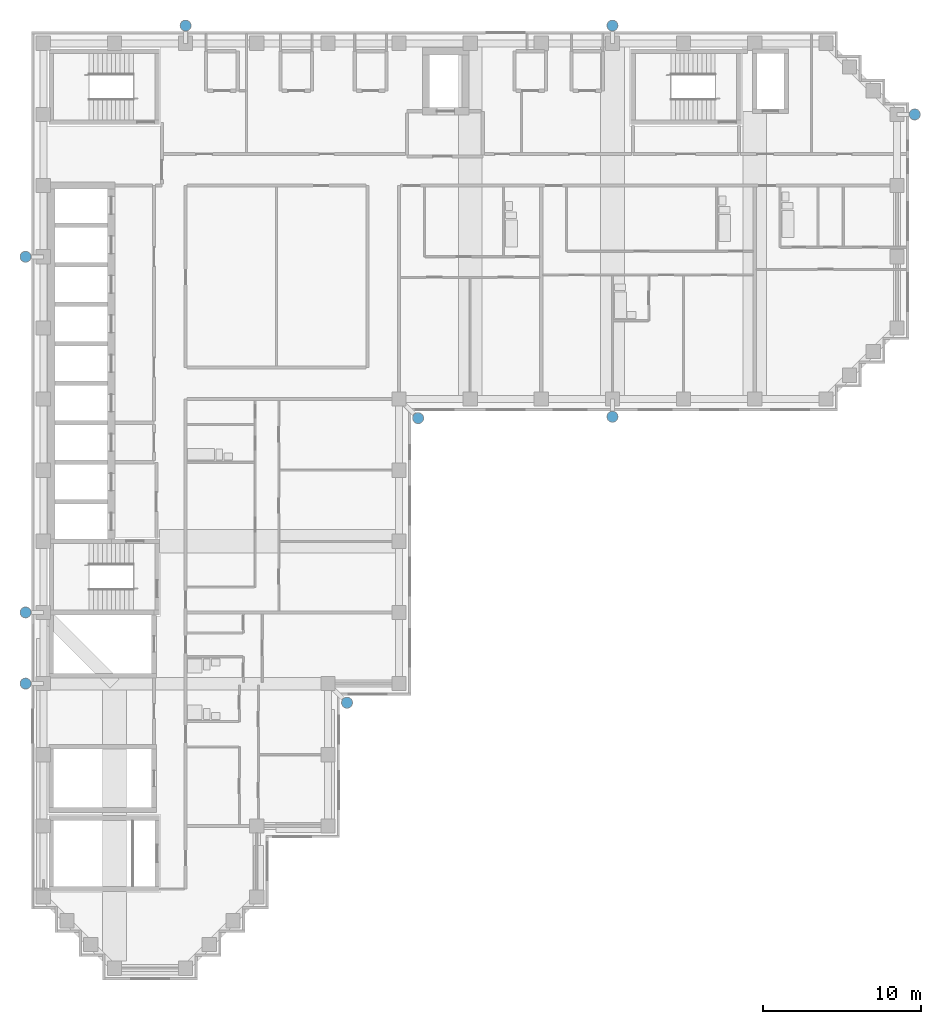
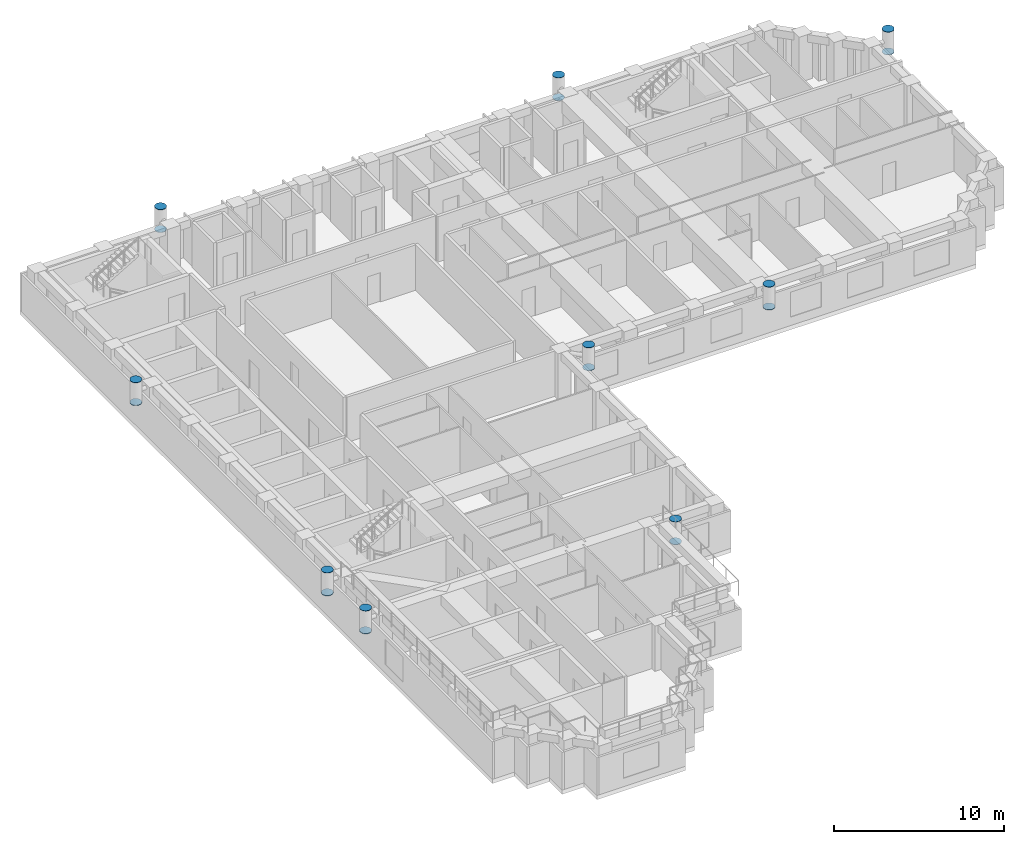
# One storey, part 9 of 11: 18 discrete accessories.
"""IFC4 building model written with IfcOpenShell, lengths in metres."""

from ifc_helpers import new_model, si_unit, direction, frame, origin, origin_2d, place, context, subcontext, project, spatial, circle, extrude, material, material_profile, profile_set, type_object, element, save


model = new_model("IFC4")

# Units and contexts
model_context = context("Model", 3, precision=1e-05, world=origin(), true_north=direction((0.0, 1.0)))
body_context = subcontext(model_context, "Body", "Model", "MODEL_VIEW")
ifc_project = project(units=[si_unit("LENGTHUNIT", "METRE"), si_unit("AREAUNIT", "SQUARE_METRE"), si_unit("VOLUMEUNIT", "CUBIC_METRE"), si_unit("PLANEANGLEUNIT", "RADIAN"), si_unit("MASSUNIT", "GRAM", prefix="KILO")], contexts=[model_context])

# Site, building, storey
site_placement = place(None, origin())
site = spatial("IfcSite", under=ifc_project, at=site_placement, CompositionType="ELEMENT")
building_placement = place(site_placement, origin())
building = spatial("IfcBuilding", under=site, at=building_placement, Name="Firuza Court", CompositionType="ELEMENT")
storey_placement = place(building_placement, frame((0.0, 0.0, 207.800048828125)))
storey = spatial("IfcBuildingStorey", under=building, at=storey_placement, Name="L53", CompositionType="ELEMENT", Elevation=207.800048828125)

# Discrete accessories
ifc_material = material(Name="Steel S355", Category="steel")
ifc_material_profile = material_profile(ifc_material, circle(Radius=0.35546875, at=origin_2d()), Name="PL D711")
ifc_profile_set = profile_set([ifc_material_profile], Name="Steel S355")
discrete_accessory_type = type_object("IfcDiscreteAccessoryType", Name="DIAGRID NODE END PLATE", PredefinedType="NOTDEFINED", material=ifc_profile_set)
discrete_accessory_1_placement = place(storey_placement, frame((-1.1201171875, 18.0, 3.800048828125), z_axis=(0.0, 0.0, 1.0), x_axis=(1.0, 0.0, 0.0)))
element("IfcDiscreteAccessory", 1, at=discrete_accessory_1_placement, inside=storey, type_object=discrete_accessory_type, Name="Diagrid node end plate level L53", PredefinedType="NOTDEFINED", context=body_context, shape_type="SweptSolid", body=[
    extrude(circle(Radius=0.35546875, at=origin_2d()), origin(), (0.0, 0.0, 1.0), 0.02978515625),
])
discrete_accessory_2_placement = place(storey_placement, frame((-1.1201171875, 18.0, 2.169921875), z_axis=(0.0, 0.0, 1.0), x_axis=(1.0, 0.0, 0.0)))
element("IfcDiscreteAccessory", 2, at=discrete_accessory_2_placement, inside=storey, type_object=discrete_accessory_type, Name="Diagrid node end plate level L53", PredefinedType="NOTDEFINED", context=body_context, shape_type="SweptSolid", body=[
    extrude(circle(Radius=0.35546875, at=origin_2d()), origin(), (0.0, 0.0, 1.0), 0.030029296875),
])
discrete_accessory_3_placement = place(storey_placement, frame((-1.1201171875, 22.5, 3.800048828125), z_axis=(0.0, 0.0, 1.0), x_axis=(1.0, 0.0, 0.0)))
element("IfcDiscreteAccessory", 3, at=discrete_accessory_3_placement, inside=storey, type_object=discrete_accessory_type, Name="Diagrid node end plate level L53", PredefinedType="NOTDEFINED", context=body_context, shape_type="SweptSolid", body=[
    extrude(circle(Radius=0.35546875, at=origin_2d()), origin(), (0.0, 0.0, 1.0), 0.02978515625),
])
discrete_accessory_4_placement = place(storey_placement, frame((-1.1201171875, 22.5, 2.169921875), z_axis=(0.0, 0.0, 1.0), x_axis=(1.0, 0.0, 0.0)))
element("IfcDiscreteAccessory", 4, at=discrete_accessory_4_placement, inside=storey, type_object=discrete_accessory_type, Name="Diagrid node end plate level L53", PredefinedType="NOTDEFINED", context=body_context, shape_type="SweptSolid", body=[
    extrude(circle(Radius=0.35546875, at=origin_2d()), origin(), (0.0, 0.0, 1.0), 0.030029296875),
])
discrete_accessory_5_placement = place(storey_placement, frame((-1.1201171875, 45.0, 3.800048828125), z_axis=(0.0, 0.0, 1.0), x_axis=(1.0, 0.0, 0.0)))
element("IfcDiscreteAccessory", 5, at=discrete_accessory_5_placement, inside=storey, type_object=discrete_accessory_type, Name="Diagrid node end plate level L53", PredefinedType="NOTDEFINED", context=body_context, shape_type="SweptSolid", body=[
    extrude(circle(Radius=0.35546875, at=origin_2d()), origin(), (0.0, 0.0, 1.0), 0.02978515625),
])
discrete_accessory_6_placement = place(storey_placement, frame((-1.1201171875, 45.0, 2.169921875), z_axis=(0.0, 0.0, 1.0), x_axis=(1.0, 0.0, 0.0)))
element("IfcDiscreteAccessory", 6, at=discrete_accessory_6_placement, inside=storey, type_object=discrete_accessory_type, Name="Diagrid node end plate level L53", PredefinedType="NOTDEFINED", context=body_context, shape_type="SweptSolid", body=[
    extrude(circle(Radius=0.35546875, at=origin_2d()), origin(), (0.0, 0.0, 1.0), 0.030029296875),
])
discrete_accessory_7_placement = place(storey_placement, frame((9.0, 59.6201171875, 3.800048828125), z_axis=(0.0, 0.0, 1.0), x_axis=(1.0, 0.0, 0.0)))
element("IfcDiscreteAccessory", 7, at=discrete_accessory_7_placement, inside=storey, type_object=discrete_accessory_type, Name="Diagrid node end plate level L53", PredefinedType="NOTDEFINED", context=body_context, shape_type="SweptSolid", body=[
    extrude(circle(Radius=0.35546875, at=origin_2d()), origin(), (0.0, 0.0, 1.0), 0.02978515625),
])
discrete_accessory_8_placement = place(storey_placement, frame((9.0, 59.6201171875, 2.169921875), z_axis=(0.0, 0.0, 1.0), x_axis=(1.0, 0.0, 0.0)))
element("IfcDiscreteAccessory", 8, at=discrete_accessory_8_placement, inside=storey, type_object=discrete_accessory_type, Name="Diagrid node end plate level L53", PredefinedType="NOTDEFINED", context=body_context, shape_type="SweptSolid", body=[
    extrude(circle(Radius=0.35546875, at=origin_2d()), origin(), (0.0, 0.0, 1.0), 0.030029296875),
])
discrete_accessory_9_placement = place(storey_placement, frame((19.2099609375, 16.7900390625, 3.800048828125), z_axis=(0.0, 0.0, 1.0), x_axis=(1.0, 0.0, 0.0)))
element("IfcDiscreteAccessory", 9, at=discrete_accessory_9_placement, inside=storey, type_object=discrete_accessory_type, Name="Diagrid node end plate level L53", PredefinedType="NOTDEFINED", context=body_context, shape_type="SweptSolid", body=[
    extrude(circle(Radius=0.35546875, at=origin_2d()), origin(), (0.0, 0.0, 1.0), 0.02978515625),
])
discrete_accessory_10_placement = place(storey_placement, frame((19.2099609375, 16.7900390625, 2.169921875), z_axis=(0.0, 0.0, 1.0), x_axis=(1.0, 0.0, 0.0)))
element("IfcDiscreteAccessory", 10, at=discrete_accessory_10_placement, inside=storey, type_object=discrete_accessory_type, Name="Diagrid node end plate level L53", PredefinedType="NOTDEFINED", context=body_context, shape_type="SweptSolid", body=[
    extrude(circle(Radius=0.35546875, at=origin_2d()), origin(), (0.0, 0.0, 1.0), 0.030029296875),
])
discrete_accessory_11_placement = place(storey_placement, frame((23.7099609375, 34.7900390625, 3.800048828125), z_axis=(0.0, 0.0, 1.0), x_axis=(1.0, 0.0, 0.0)))
element("IfcDiscreteAccessory", 11, at=discrete_accessory_11_placement, inside=storey, type_object=discrete_accessory_type, Name="Diagrid node end plate level L53", PredefinedType="NOTDEFINED", context=body_context, shape_type="SweptSolid", body=[
    extrude(circle(Radius=0.35546875, at=origin_2d()), origin(), (0.0, 0.0, 1.0), 0.02978515625),
])
discrete_accessory_12_placement = place(storey_placement, frame((23.7099609375, 34.7900390625, 2.169921875), z_axis=(0.0, 0.0, 1.0), x_axis=(1.0, 0.0, 0.0)))
element("IfcDiscreteAccessory", 12, at=discrete_accessory_12_placement, inside=storey, type_object=discrete_accessory_type, Name="Diagrid node end plate level L53", PredefinedType="NOTDEFINED", context=body_context, shape_type="SweptSolid", body=[
    extrude(circle(Radius=0.35546875, at=origin_2d()), origin(), (0.0, 0.0, 1.0), 0.030029296875),
])
discrete_accessory_13_placement = place(storey_placement, frame((36.0, 34.8798828125, 3.800048828125), z_axis=(0.0, 0.0, 1.0), x_axis=(1.0, 0.0, 0.0)))
element("IfcDiscreteAccessory", 13, at=discrete_accessory_13_placement, inside=storey, type_object=discrete_accessory_type, Name="Diagrid node end plate level L53", PredefinedType="NOTDEFINED", context=body_context, shape_type="SweptSolid", body=[
    extrude(circle(Radius=0.35546875, at=origin_2d()), origin(), (0.0, 0.0, 1.0), 0.02978515625),
])
discrete_accessory_14_placement = place(storey_placement, frame((36.0, 34.8798828125, 2.169921875), z_axis=(0.0, 0.0, 1.0), x_axis=(1.0, 0.0, 0.0)))
element("IfcDiscreteAccessory", 14, at=discrete_accessory_14_placement, inside=storey, type_object=discrete_accessory_type, Name="Diagrid node end plate level L53", PredefinedType="NOTDEFINED", context=body_context, shape_type="SweptSolid", body=[
    extrude(circle(Radius=0.35546875, at=origin_2d()), origin(), (0.0, 0.0, 1.0), 0.030029296875),
])
discrete_accessory_15_placement = place(storey_placement, frame((36.0, 59.6201171875, 3.800048828125), z_axis=(0.0, 0.0, 1.0), x_axis=(1.0, 0.0, 0.0)))
element("IfcDiscreteAccessory", 15, at=discrete_accessory_15_placement, inside=storey, type_object=discrete_accessory_type, Name="Diagrid node end plate level L53", PredefinedType="NOTDEFINED", context=body_context, shape_type="SweptSolid", body=[
    extrude(circle(Radius=0.35546875, at=origin_2d()), origin(), (0.0, 0.0, 1.0), 0.02978515625),
])
discrete_accessory_16_placement = place(storey_placement, frame((36.0, 59.6201171875, 2.169921875), z_axis=(0.0, 0.0, 1.0), x_axis=(1.0, 0.0, 0.0)))
element("IfcDiscreteAccessory", 16, at=discrete_accessory_16_placement, inside=storey, type_object=discrete_accessory_type, Name="Diagrid node end plate level L53", PredefinedType="NOTDEFINED", context=body_context, shape_type="SweptSolid", body=[
    extrude(circle(Radius=0.35546875, at=origin_2d()), origin(), (0.0, 0.0, 1.0), 0.030029296875),
])
discrete_accessory_17_placement = place(storey_placement, frame((55.1201171875, 54.0, 3.800048828125), z_axis=(0.0, 0.0, 1.0), x_axis=(1.0, 0.0, 0.0)))
element("IfcDiscreteAccessory", 17, at=discrete_accessory_17_placement, inside=storey, type_object=discrete_accessory_type, Name="Diagrid node end plate level L53", PredefinedType="NOTDEFINED", context=body_context, shape_type="SweptSolid", body=[
    extrude(circle(Radius=0.35546875, at=origin_2d()), origin(), (0.0, 0.0, 1.0), 0.02978515625),
])
discrete_accessory_18_placement = place(storey_placement, frame((55.1201171875, 54.0, 2.169921875), z_axis=(0.0, 0.0, 1.0), x_axis=(1.0, 0.0, 0.0)))
element("IfcDiscreteAccessory", 18, at=discrete_accessory_18_placement, inside=storey, type_object=discrete_accessory_type, Name="Diagrid node end plate level L53", PredefinedType="NOTDEFINED", context=body_context, shape_type="SweptSolid", body=[
    extrude(circle(Radius=0.35546875, at=origin_2d()), origin(), (0.0, 0.0, 1.0), 0.030029296875),
])

save(model, "model.ifc")
